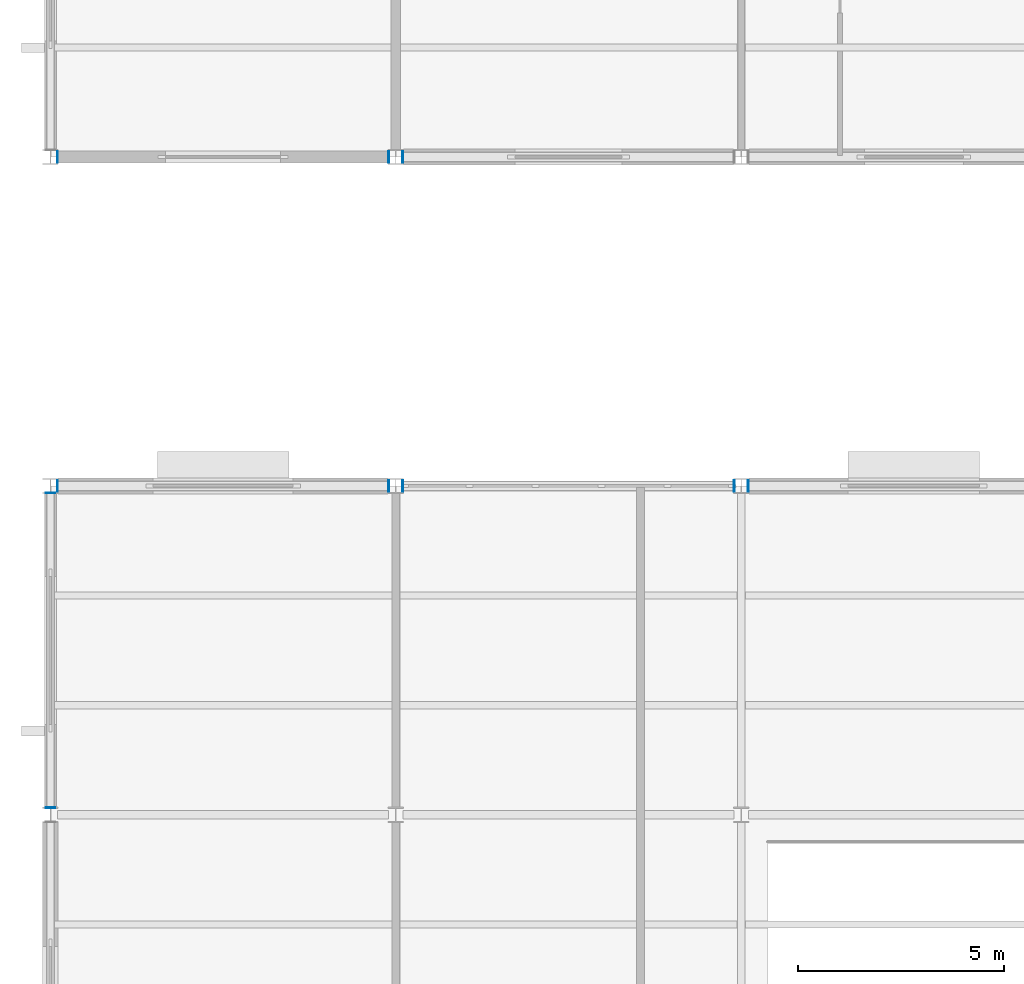
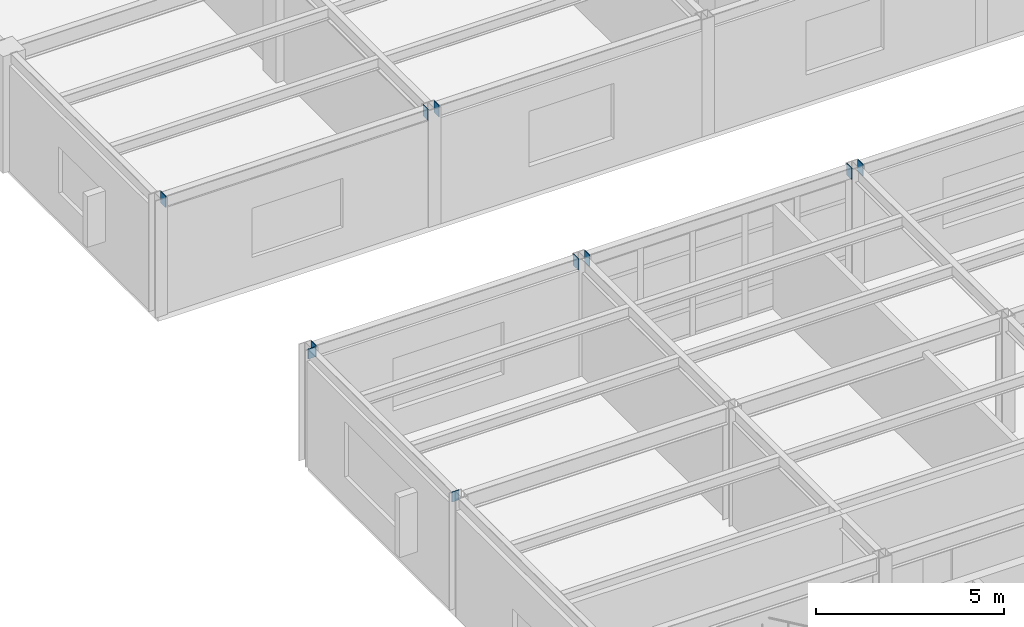
# One storey, part 87 of 138: 10 discrete accessories.
"""IFC4 building model written with IfcOpenShell, lengths in metres."""

from ifc_helpers import new_model, si_unit, direction, frame, origin, origin_2d, place, context, subcontext, project, spatial, rectangle, extrude, material, layer, layer_set, type_object, element, save


model = new_model("IFC4")

# Units and contexts
model_context = context("Model", 3, precision=1e-05, world=origin(), true_north=direction((0.0, 1.0)))
body_context = subcontext(model_context, "Body", "Model", "MODEL_VIEW")
ifc_project = project(units=[si_unit("LENGTHUNIT", "METRE"), si_unit("AREAUNIT", "SQUARE_METRE"), si_unit("VOLUMEUNIT", "CUBIC_METRE"), si_unit("PLANEANGLEUNIT", "RADIAN"), si_unit("MASSUNIT", "GRAM", prefix="KILO")], contexts=[model_context])

# Site, building, storey
site_placement = place(None, origin())
site = spatial("IfcSite", under=ifc_project, at=site_placement, CompositionType="ELEMENT")
building_placement = place(site_placement, origin())
building = spatial("IfcBuilding", under=site, at=building_placement, Name="Kranzveld Transit Interchange", CompositionType="ELEMENT")
storey_placement = place(building_placement, frame((0.0, 0.0, 5.43994140625)))
storey = spatial("IfcBuildingStorey", under=building, at=storey_placement, Name="L01", CompositionType="ELEMENT", Elevation=5.43994140625)

# Discrete accessories
ifc_material = material(Name="Steel S355JR", Category="steel")
ifc_layer = layer(ifc_material, 0.02001953125)
ifc_layer_set = layer_set([ifc_layer], Name="Steel S355JR")
discrete_accessory_type = type_object("IfcDiscreteAccessoryType", Name="Hollow Section End Cap Bracket 20 S355JR", PredefinedType="BRACKET", material=ifc_layer_set)
for number, where, z_axis, x_axis, name in (
    (1, (0.181396484375, 40.0, 3.625), (-1.0, 0.0, 0.0), (0.0, -1.0, 0.0), "Hollow Section End Cap SP-RHS350-1"),
    (2, (8.21875, 40.0, 3.625), (1.0, 0.0, 0.0), (0.0, 1.0, 0.0), "Hollow Section End Cap SP-RHS350-2"),
    (3, (8.581298828125, 40.0, 3.625), (-1.0, 0.0, 0.0), (0.0, -1.0, 0.0), "Hollow Section End Cap SP-RHS350-1"),
    (4, (16.61865234375, 40.0, 3.625), (1.0, 0.0, 0.0), (0.0, 1.0, 0.0), "Hollow Section End Cap SP-RHS350-2"),
    (5, (16.981201171875, 40.0, 3.625), (-1.0, 0.0, 0.0), (0.0, -1.0, 0.0), "Hollow Section End Cap SP-RHS350-1"),
    (6, (0.181396484375, 48.0, 3.625), (-1.0, 0.0, 0.0), (0.0, -1.0, 0.0), "Hollow Section End Cap SP-RHS350-1"),
    (7, (8.21875, 48.0, 3.625), (1.0, 0.0, 0.0), (0.0, 1.0, 0.0), "Hollow Section End Cap SP-RHS350-2"),
    (8, (8.581298828125, 48.0, 3.625), (-1.0, 0.0, 0.0), (0.0, -1.0, 0.0), "Hollow Section End Cap SP-RHS350-1"),
):
    element("IfcDiscreteAccessory", number, at=place(storey_placement, frame(where, z_axis=z_axis, x_axis=x_axis)), inside=storey, type_object=discrete_accessory_type, Name=name, PredefinedType="BRACKET", context=body_context, shape_type="SweptSolid", body=[
        extrude(rectangle(XDim=0.27392578125, YDim=0.3740234375, at=origin_2d()), origin(), (0.0, 0.0, 1.0), 0.02001953125),
    ])
for number, where, z_axis, x_axis, name in (
    (9, (0.0, 32.181396484375, 3.650146484375), (0.0, -1.0, 0.0), (1.0, 0.0, 0.0), "Hollow Section End Cap SP-RHS300-1"),
    (10, (0.0, 39.818603515625, 3.650146484375), (0.0, 1.0, 0.0), (-1.0, 0.0, 0.0), "Hollow Section End Cap SP-RHS300-2"),
):
    element("IfcDiscreteAccessory", number, at=place(storey_placement, frame(where, z_axis=z_axis, x_axis=x_axis)), inside=storey, type_object=discrete_accessory_type, Name=name, PredefinedType="BRACKET", context=body_context, shape_type="SweptSolid", body=[
        extrude(rectangle(XDim=0.22412109375, YDim=0.323974609375, at=origin_2d()), origin(), (0.0, 0.0, 1.0), 0.02001953125),
    ])

save(model, "model.ifc")
